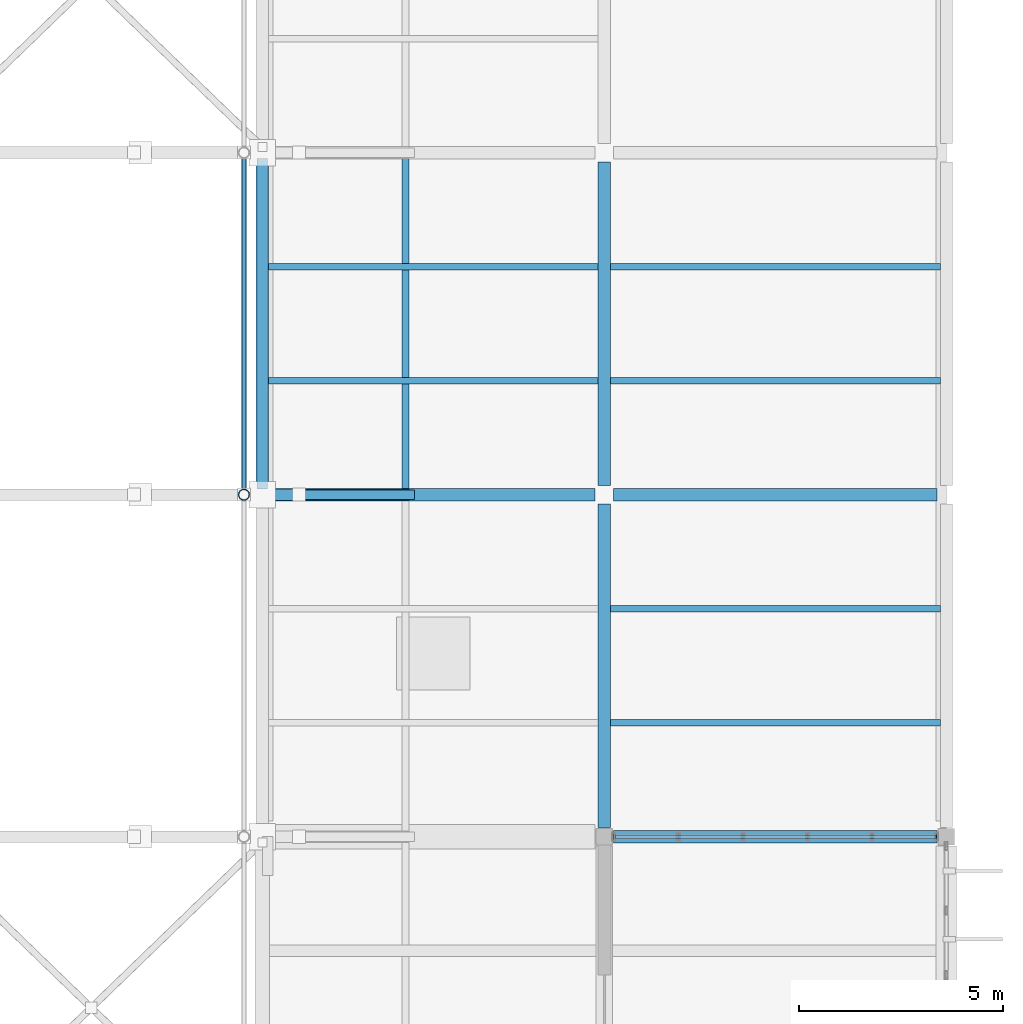
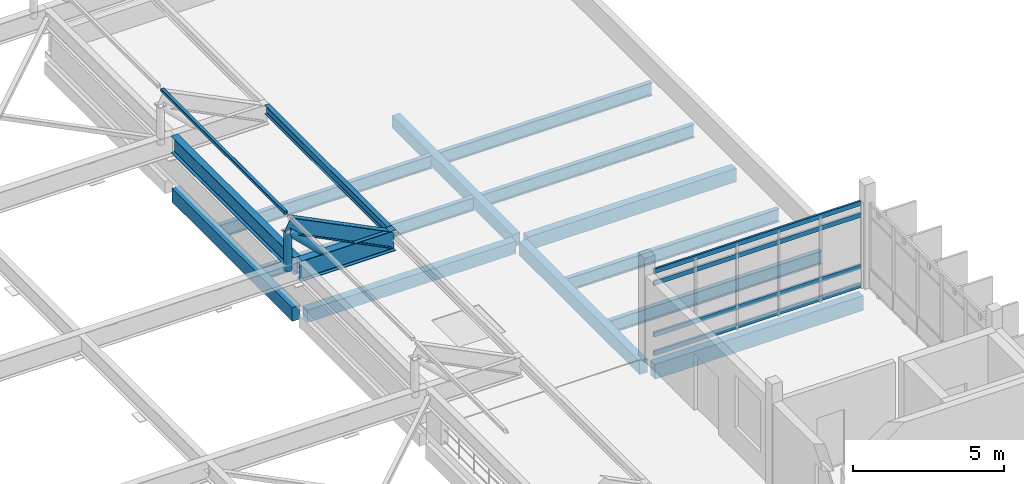
# One storey, part 19 of 41: 16 beams, 7 members, 1 element without a shape of its own.
"""IFC4 building model written with IfcOpenShell, lengths in metres."""

from ifc_helpers import new_model, si_unit, direction, frame, origin, origin_2d, place, context, subcontext, project, spatial, rectangle, hollow_rectangle, hollow_circle, i_section, extrude, material, layer, layer_set, material_profile, profile_set, type_object, element, aggregate, save


model = new_model("IFC4")

# Units and contexts
model_context = context("Model", 3, precision=1e-05, world=origin(), true_north=direction((0.0, 1.0)))
body_context = subcontext(model_context, "Body", "Model", "MODEL_VIEW")
ifc_project = project(units=[si_unit("LENGTHUNIT", "METRE"), si_unit("AREAUNIT", "SQUARE_METRE"), si_unit("VOLUMEUNIT", "CUBIC_METRE"), si_unit("PLANEANGLEUNIT", "RADIAN"), si_unit("MASSUNIT", "GRAM", prefix="KILO")], contexts=[model_context])

# Site, building, storey
site_placement = place(None, origin())
site = spatial("IfcSite", under=ifc_project, at=site_placement, CompositionType="ELEMENT")
building_placement = place(site_placement, origin())
building = spatial("IfcBuilding", under=site, at=building_placement, Name="Vireocrest Preparatory School", CompositionType="ELEMENT")
storey_placement = place(building_placement, frame((0.0, 0.0, 21.60009765625)))
storey = spatial("IfcBuildingStorey", under=building, at=storey_placement, Name="L05", CompositionType="ELEMENT", Elevation=21.60009765625)

# Beam
ifc_material_1 = material(Name="Structural steel ASTM A992 Grade 50", Category="steel")
ifc_material_profile_1 = material_profile(ifc_material_1, i_section(OverallWidth=0.25390625, OverallDepth=0.68408203125, WebThickness=0.012451171875, FlangeThickness=0.018798828125, FilletRadius=0.01806640625, at=origin_2d()), Name="W27X94")
ifc_profile_set_1 = profile_set([ifc_material_profile_1], Name="Structural steel ASTM A992 Grade 50")
beam_type_1 = type_object("IfcBeamType", Name="Bridge Primary Steel Girder W27X94", PredefinedType="BEAM", material=ifc_profile_set_1)
beam_1_placement = place(storey_placement, frame((92.39990234375, 69.14404296875, 1.492919921875), z_axis=(0.0, 1.0, 0.0), x_axis=(-1.0, 0.0, 0.0)))
element("IfcBeam", 1, at=beam_1_placement, inside=storey, type_object=beam_type_1, Name="Canopy Longitudinal Beam EO-6", PredefinedType="BEAM", context=body_context, shape_type="SweptSolid", body=[
    extrude(i_section(OverallWidth=0.25390625, OverallDepth=0.68408203125, WebThickness=0.012451171875, FlangeThickness=0.018798828125, FilletRadius=0.01806640625, at=origin_2d()), origin(), (0.0, 0.0, 1.0), 8.112060546875),
])

# Curtain wall, members
ifc_material_2 = material(Name="Thermally broken aluminium EN AW-6063-T6", Category="aluminium")
ifc_layer = layer(ifc_material_2, 0.179931640625)
ifc_layer_set = layer_set([ifc_layer], Name="Thermally broken aluminium EN AW-6063-T6")
curtain_wall_type = type_object("IfcCurtainWallType", Name="North Street Curtain Wall 8400x4000", PredefinedType="USERDEFINED", material=ifc_layer_set)
curtain_wall_placement = place(storey_placement, origin())
curtain_wall = element("IfcCurtainWall", 2, at=curtain_wall_placement, inside=storey, type_object=curtain_wall_type, Name="Curtain Wall CW05 CW_L05_CW05_1010_0606_216", ObjectType="CURTAIN WALL", PredefinedType="USERDEFINED")
ifc_material_profile_2 = material_profile(ifc_material_2, hollow_rectangle(XDim=0.074951171875, YDim=0.18994140625, WallThickness=0.00390625, at=origin_2d()), Name="ALU 75x190x4")
ifc_profile_set_2 = profile_set([ifc_material_profile_2], Name="Thermally broken aluminium EN AW-6063-T6")
member_type_1 = type_object("IfcMemberType", Name="CW Transom 75x190x4", PredefinedType="USERDEFINED", material=ifc_profile_set_2)
member_1_placement = place(storey_placement, frame((101.06005859375, 60.60009765625, 0.094970703125), z_axis=(1.0, 0.0, 0.0), x_axis=(0.0, 1.0, 0.0)))
member_1 = element("IfcMember", 3, at=member_1_placement, type_object=member_type_1, Name="CW Transom TR3 CW_L05_CW05_1010_0606_216-1", ObjectType="TRANSOM", PredefinedType="USERDEFINED", context=body_context, shape_type="SweptSolid", body=[
    extrude(hollow_rectangle(XDim=0.074951171875, YDim=0.18994140625, WallThickness=0.00390625, at=origin_2d()), origin(), (0.0, 0.0, 1.0), 7.8798828125),
])
member_2_placement = place(storey_placement, frame((101.06005859375, 60.60009765625, 0.849853515625), z_axis=(1.0, 0.0, 0.0), x_axis=(0.0, 1.0, 0.0)))
member_2 = element("IfcMember", 4, at=member_2_placement, type_object=member_type_1, Name="CW Transom TR3 CW_L05_CW05_1010_0606_216-2", ObjectType="TRANSOM", PredefinedType="USERDEFINED", context=body_context, shape_type="SweptSolid", body=[
    extrude(hollow_rectangle(XDim=0.074951171875, YDim=0.18994140625, WallThickness=0.00390625, at=origin_2d()), origin(), (0.0, 0.0, 1.0), 7.8798828125),
])
member_3_placement = place(storey_placement, frame((101.06005859375, 60.60009765625, 2.929931640625), z_axis=(1.0, 0.0, 0.0), x_axis=(0.0, 1.0, 0.0)))
member_3 = element("IfcMember", 5, at=member_3_placement, type_object=member_type_1, Name="CW Transom TR3 CW_L05_CW05_1010_0606_216-3", ObjectType="TRANSOM", PredefinedType="USERDEFINED", context=body_context, shape_type="SweptSolid", body=[
    extrude(hollow_rectangle(XDim=0.074951171875, YDim=0.18994140625, WallThickness=0.00390625, at=origin_2d()), origin(), (0.0, 0.0, 1.0), 7.8798828125),
])
member_4_placement = place(storey_placement, frame((101.06005859375, 60.60009765625, 3.40478515625), z_axis=(1.0, 0.0, 0.0), x_axis=(0.0, 1.0, 0.0)))
member_4 = element("IfcMember", 6, at=member_4_placement, type_object=member_type_1, Name="CW Transom TR3 CW_L05_CW05_1010_0606_216-4", ObjectType="TRANSOM", PredefinedType="USERDEFINED", context=body_context, shape_type="SweptSolid", body=[
    extrude(hollow_rectangle(XDim=0.074951171875, YDim=0.18994140625, WallThickness=0.00390625, at=origin_2d()), origin(), (0.0, 0.0, 1.0), 7.8798828125),
])
aggregate(curtain_wall, [member_1, member_2, member_3, member_4])

# Member
ifc_material_3 = material(Name="Painted white steel ASTM A500 Grade C", Category="steel")
ifc_material_profile_3 = material_profile(ifc_material_3, hollow_rectangle(XDim=0.126953125, YDim=0.126953125, WallThickness=0.0087890625, InnerFilletRadius=0.0087890625, OuterFilletRadius=0.017822265625, at=origin_2d()), Name="HSS5X5X3/8")
ifc_profile_set_3 = profile_set([ifc_material_profile_3], Name="Painted white steel ASTM A500 Grade C")
member_type_2 = type_object("IfcMemberType", Name="Canopy Glass Steel Purlin HSS5X5X3/8", PredefinedType="PURLIN", material=ifc_profile_set_3)
member_5_placement = place(storey_placement, frame((91.949951171875, 69.110107421875, 3.7919921875), z_axis=(0.0, 1.0, 0.0), x_axis=(-1.0, 0.0, 0.0)))
element("IfcMember", 7, at=member_5_placement, inside=storey, type_object=member_type_2, Name="Canopy Glass Purlin PR2-6-8", PredefinedType="PURLIN", context=body_context, shape_type="SweptSolid", body=[
    extrude(hollow_rectangle(XDim=0.126953125, YDim=0.126953125, WallThickness=0.0087890625, InnerFilletRadius=0.0087890625, OuterFilletRadius=0.017822265625, at=origin_2d()), origin(), (0.0, 0.0, 1.0), 8.179931640625),
])

# Beams
ifc_material_profile_4 = material_profile(ifc_material_1, i_section(OverallWidth=0.2919921875, OverallDepth=0.8349609375, WebThickness=0.013916015625, FlangeThickness=0.018798828125, FilletRadius=0.02001953125, at=origin_2d()), Name="W33X118")
ifc_profile_set_4 = profile_set([ifc_material_profile_4], Name="Structural steel ASTM A992 Grade 50")
beam_type_2 = type_object("IfcBeamType", Name="Central Court Canopy Primary Girder W33X118", PredefinedType="BEAM", material=ifc_profile_set_4)
beam_2_placement = place(storey_placement, frame((92.39990234375, 69.0, 1.41748046875), z_axis=(1.0, 0.0, 0.0), x_axis=(0.0, 1.0, 0.0)))
element("IfcBeam", 8, at=beam_2_placement, inside=storey, type_object=beam_type_2, Name="Central Court Canopy Primary Girder CG1-6E", PredefinedType="BEAM", context=body_context, shape_type="SweptSolid", body=[
    extrude(i_section(OverallWidth=0.2919921875, OverallDepth=0.8349609375, WebThickness=0.013916015625, FlangeThickness=0.018798828125, FilletRadius=0.02001953125, at=origin_2d()), origin(), (0.0, 0.0, 1.0), 3.60009765625),
])
ifc_material_profile_5 = material_profile(ifc_material_1, i_section(OverallWidth=0.22802734375, OverallDepth=0.60302734375, WebThickness=0.010498046875, FlangeThickness=0.014892578125, FilletRadius=0.01611328125, at=origin_2d()), Name="W24X68")
ifc_profile_set_5 = profile_set([ifc_material_profile_5], Name="Structural steel ASTM A992 Grade 50")
beam_type_3 = type_object("IfcBeamType", Name="Dining Pavilion Roof Girder W24X68", PredefinedType="BEAM", material=ifc_profile_set_5)
beam_3_placement = place(storey_placement, frame((91.949951171875, 69.0, 3.394287109375), z_axis=(0.894869090369, 0.0, -0.446328702979), x_axis=(0.0, 1.0, 0.0)))
element("IfcBeam", 9, at=beam_3_placement, inside=storey, type_object=beam_type_3, Name="Canopy Rafter Chord SB4-6-8", PredefinedType="BEAM", context=body_context, shape_type="SweptSolid", body=[
    extrude(i_section(OverallWidth=0.22802734375, OverallDepth=0.60302734375, WebThickness=0.010498046875, FlangeThickness=0.014892578125, FilletRadius=0.01611328125, at=origin_2d()), origin(), (0.0, 0.0, 1.0), 4.52587890625),
])
ifc_material_profile_6 = material_profile(ifc_material_1, i_section(OverallWidth=0.172119140625, OverallDepth=0.35791015625, WebThickness=0.0078125, FlangeThickness=0.01318359375, FilletRadius=0.012939453125, at=origin_2d()), Name="W14X38")
ifc_profile_set_6 = profile_set([ifc_material_profile_6], Name="Structural steel ASTM A992 Grade 50")
beam_type_4 = type_object("IfcBeamType", Name="Entrance Canopy Header Lintel W14X38", PredefinedType="USERDEFINED", material=ifc_profile_set_6)
beam_4_placement = place(storey_placement, frame((95.919921875, 69.14404296875, 1.656005859375), z_axis=(0.0, 1.0, 0.0), x_axis=(-1.0, 0.0, 0.0)))
element("IfcBeam", 10, at=beam_4_placement, inside=storey, type_object=beam_type_4, Name="Canopy Longitudinal Beam ETIP-6", ObjectType="LINTEL", PredefinedType="USERDEFINED", context=body_context, shape_type="SweptSolid", body=[
    extrude(i_section(OverallWidth=0.172119140625, OverallDepth=0.35791015625, WebThickness=0.0078125, FlangeThickness=0.01318359375, FilletRadius=0.012939453125, at=origin_2d()), origin(), (0.0, 0.0, 1.0), 8.112060546875),
])
ifc_material_profile_7 = material_profile(ifc_material_1, i_section(OverallWidth=0.166015625, OverallDepth=0.529052734375, WebThickness=0.009765625, FlangeThickness=0.013671875, FilletRadius=0.014892578125, at=origin_2d()), Name="W21X50")
ifc_profile_set_7 = profile_set([ifc_material_profile_7], Name="Structural steel ASTM A992 Grade 50")
beam_type_5 = type_object("IfcBeamType", Name="Pavilion Roof Joist W21X50", PredefinedType="JOIST", material=ifc_profile_set_7)
for number, where, z_axis, x_axis, name in (
    (11, (92.550048828125, 71.800048828125, -0.484619140625), (1.0, 0.0, 0.0), (0.0, 1.0, 0.0), "Secondary Joist SJ1 L05-1671"),
    (12, (92.550048828125, 74.60009765625, -0.484619140625), (1.0, 0.0, 0.0), (0.0, 1.0, 0.0), "Secondary Joist SJ1 L05-1672"),
):
    element("IfcBeam", number, at=place(storey_placement, frame(where, z_axis=z_axis, x_axis=x_axis)), inside=storey, type_object=beam_type_5, Name=name, PredefinedType="JOIST", context=body_context, shape_type="SweptSolid", body=[
        extrude(i_section(OverallWidth=0.166015625, OverallDepth=0.529052734375, WebThickness=0.009765625, FlangeThickness=0.013671875, FilletRadius=0.014892578125, at=origin_2d()), origin(), (0.0, 0.0, 1.0), 8.099853515625),
    ])
for number, where, z_axis, x_axis, name in (
    (13, (100.949951171875, 63.39990234375, -0.484619140625), (1.0, 0.0, 0.0), (0.0, 1.0, 0.0), "Secondary Joist SJ1 L05-1677"),
    (14, (100.949951171875, 66.199951171875, -0.484619140625), (1.0, 0.0, 0.0), (0.0, 1.0, 0.0), "Secondary Joist SJ1 L05-1678"),
    (15, (100.949951171875, 71.800048828125, -0.484619140625), (1.0, 0.0, 0.0), (0.0, 1.0, 0.0), "Secondary Joist SJ1 L05-1679"),
    (16, (100.949951171875, 74.60009765625, -0.484619140625), (1.0, 0.0, 0.0), (0.0, 1.0, 0.0), "Secondary Joist SJ1 L05-1680"),
):
    element("IfcBeam", number, at=place(storey_placement, frame(where, z_axis=z_axis, x_axis=x_axis)), inside=storey, type_object=beam_type_5, Name=name, PredefinedType="JOIST", context=body_context, shape_type="SweptSolid", body=[
        extrude(i_section(OverallWidth=0.166015625, OverallDepth=0.529052734375, WebThickness=0.009765625, FlangeThickness=0.013671875, FilletRadius=0.014892578125, at=origin_2d()), origin(), (0.0, 0.0, 1.0), 8.10009765625),
    ])
ifc_material_4 = material(Name="Concrete 40 MPa", Category="concrete")
ifc_material_profile_8 = material_profile(ifc_material_4, rectangle(XDim=0.300048828125, YDim=0.60009765625, at=origin_2d()), Name="RC 300x600")
ifc_profile_set_8 = profile_set([ifc_material_profile_8], Name="Concrete 40 MPa")
beam_type_6 = type_object("IfcBeamType", Name="RC Classroom Beam 300x600", PredefinedType="BEAM", material=ifc_profile_set_8)
beam_5_placement = place(storey_placement, frame((101.02490234375, 60.60009765625, -0.56005859375), z_axis=(1.0, 0.0, 0.0), x_axis=(0.0, 1.0, 0.0)))
element("IfcBeam", 17, at=beam_5_placement, inside=storey, type_object=beam_type_6, Name="Primary Girder B03 L05-1531", PredefinedType="BEAM", context=body_context, shape_type="SweptSolid", body=[
    extrude(rectangle(XDim=0.300048828125, YDim=0.60009765625, at=origin_2d()), origin(), (0.0, 0.0, 1.0), 7.9501953125),
])
ifc_material_profile_9 = material_profile(ifc_material_4, rectangle(XDim=0.300048828125, YDim=0.5, at=origin_2d()), Name="RC 300x500")
ifc_profile_set_9 = profile_set([ifc_material_profile_9], Name="Concrete 40 MPa")
beam_type_7 = type_object("IfcBeamType", Name="RC Roof Edge Beam 300x500", PredefinedType="BEAM", material=ifc_profile_set_9)
for number, where, z_axis, x_axis, name in (
    (18, (92.625, 69.0, -0.47021484375), (1.0, 0.0, 0.0), (0.0, 1.0, 0.0), "Primary Girder B01 L05-1535"),
    (19, (100.800048828125, 69.22509765625, -0.47021484375), (0.0, 1.0, 0.0), (-1.0, 0.0, 0.0), "Primary Girder B01 L05-1606"),
):
    element("IfcBeam", number, at=place(storey_placement, frame(where, z_axis=z_axis, x_axis=x_axis)), inside=storey, type_object=beam_type_7, Name=name, PredefinedType="BEAM", context=body_context, shape_type="SweptSolid", body=[
        extrude(rectangle(XDim=0.300048828125, YDim=0.5, at=origin_2d()), origin(), (0.0, 0.0, 1.0), 7.949951171875),
    ])
ifc_material_profile_10 = material_profile(ifc_material_4, rectangle(XDim=0.300048828125, YDim=0.550048828125, at=origin_2d()), Name="RC 300x550")
ifc_profile_set_10 = profile_set([ifc_material_profile_10], Name="Concrete 40 MPa")
beam_type_8 = type_object("IfcBeamType", Name="RC Roof Girder 300x550", PredefinedType="BEAM", material=ifc_profile_set_10)
beam_6_placement = place(storey_placement, frame((101.02490234375, 69.0, -0.4951171875), z_axis=(1.0, 0.0, 0.0), x_axis=(0.0, 1.0, 0.0)))
element("IfcBeam", 20, at=beam_6_placement, inside=storey, type_object=beam_type_8, Name="Primary Girder B02 L05-1536", PredefinedType="BEAM", context=body_context, shape_type="SweptSolid", body=[
    extrude(rectangle(XDim=0.300048828125, YDim=0.550048828125, at=origin_2d()), origin(), (0.0, 0.0, 1.0), 7.9501953125),
])
for number, where, z_axis, x_axis, name in (
    (21, (92.39990234375, 69.22509765625, -0.4951171875), (0.0, 1.0, 0.0), (-1.0, 0.0, 0.0), "Primary Girder B02 L05-1601"),
    (22, (100.800048828125, 60.824951171875, -0.4951171875), (0.0, 1.0, 0.0), (-1.0, 0.0, 0.0), "Primary Girder B02 L05-1605"),
):
    element("IfcBeam", number, at=place(storey_placement, frame(where, z_axis=z_axis, x_axis=x_axis)), inside=storey, type_object=beam_type_8, Name=name, PredefinedType="BEAM", context=body_context, shape_type="SweptSolid", body=[
        extrude(rectangle(XDim=0.300048828125, YDim=0.550048828125, at=origin_2d()), origin(), (0.0, 0.0, 1.0), 7.949951171875),
    ])

# Members
ifc_material_profile_11 = material_profile(ifc_material_3, hollow_circle(Radius=0.136474609375, WallThickness=0.0126953125, at=origin_2d()), Name="HSS10.750X0.500")
ifc_profile_set_11 = profile_set([ifc_material_profile_11], Name="Painted white steel ASTM A500 Grade C")
member_type_3 = type_object("IfcMemberType", Name="White Steel Clerestory Strut HSS10.750X0.500", PredefinedType="USERDEFINED", material=ifc_profile_set_11)
member_6_placement = place(storey_placement, frame((91.949951171875, 69.0, 1.577392578125), z_axis=(0.0, 0.0, 1.0), x_axis=(1.0, 0.0, 0.0)))
element("IfcMember", 23, at=member_6_placement, inside=storey, type_object=member_type_3, Name="Canopy Truss Web Vertical VS3-6-8", ObjectType="STRUT", PredefinedType="USERDEFINED", context=body_context, shape_type="SweptSolid", body=[
    extrude(hollow_circle(Radius=0.136474609375, WallThickness=0.0126953125, at=origin_2d()), origin(), (0.0, 0.0, 1.0), 1.54052734375),
])
member_7_placement = place(storey_placement, frame((93.300048828125, 69.0, 1.81494140625), z_axis=(-0.719551659837, 0.0, 0.694438916555), x_axis=(0.0, -1.0, 0.0)))
element("IfcMember", 24, at=member_7_placement, inside=storey, type_object=member_type_3, Name="Canopy Truss Web Strut VS3-6-7", ObjectType="STRUT", PredefinedType="USERDEFINED", context=body_context, shape_type="SweptSolid", body=[
    extrude(hollow_circle(Radius=0.136474609375, WallThickness=0.0126953125, at=origin_2d()), origin(), (0.0, 0.0, 1.0), 1.876220703125),
])

save(model, "model.ifc")
